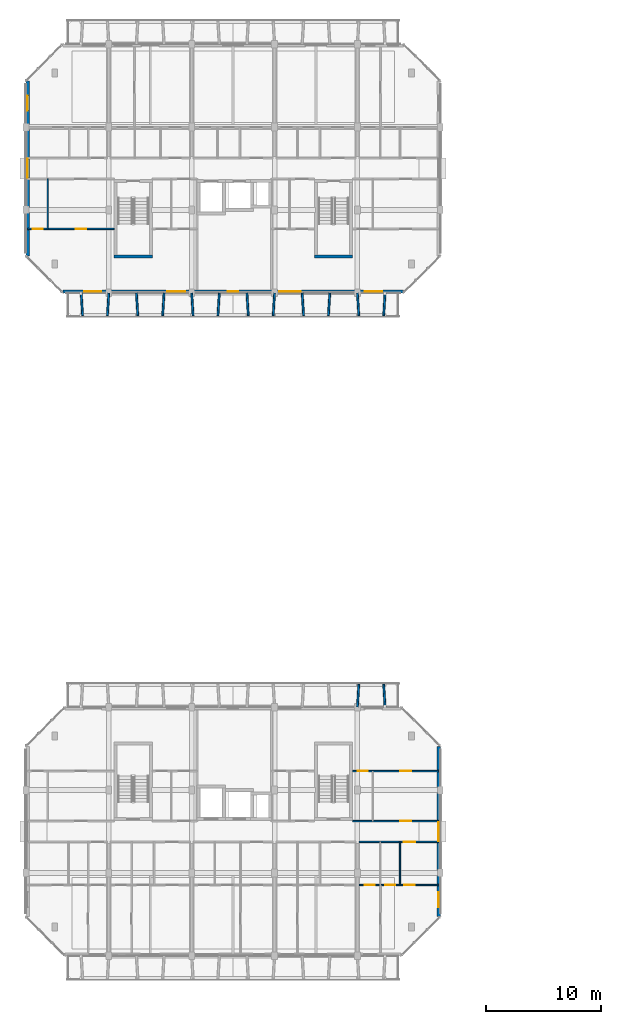
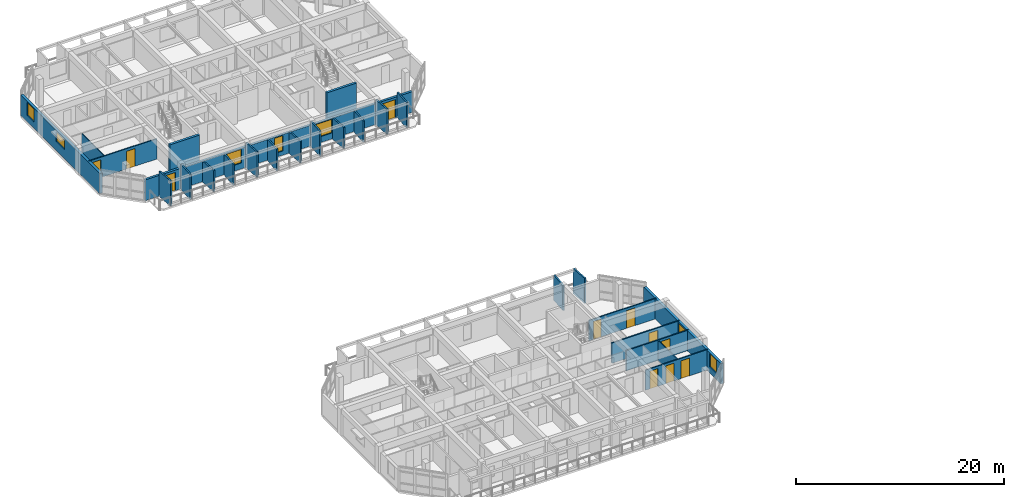
# One storey, part 17 of 43: 26 walls, 11 doors, 7 windows, 18 openings.
"""IFC4 building model written with IfcOpenShell, lengths in metres."""

from ifc_helpers import new_model, si_unit, direction, frame, frame_2d, origin, place, context, subcontext, project, spatial, rectangle, extrude, material, layer, layer_set, type_object, element, fill, save


model = new_model("IFC4")

# Units and contexts
model_context = context("Model", 3, precision=1e-05, world=origin(), true_north=direction((0.0, 1.0)))
body_context = subcontext(model_context, "Body", "Model", "MODEL_VIEW")
ifc_project = project(units=[si_unit("LENGTHUNIT", "METRE"), si_unit("AREAUNIT", "SQUARE_METRE"), si_unit("VOLUMEUNIT", "CUBIC_METRE"), si_unit("PLANEANGLEUNIT", "RADIAN"), si_unit("MASSUNIT", "GRAM", prefix="KILO")], contexts=[model_context])

# Site, building, storey
site_placement = place(None, origin())
site = spatial("IfcSite", under=ifc_project, at=site_placement, CompositionType="ELEMENT")
building_placement = place(site_placement, origin())
building = spatial("IfcBuilding", under=site, at=building_placement, Name="Ochrevale Crest", CompositionType="ELEMENT")
storey_placement = place(building_placement, frame((0.0, 0.0, 15.0)))
storey = spatial("IfcBuildingStorey", under=building, at=storey_placement, Name="L04", CompositionType="ELEMENT", Elevation=15.0)

# Wall, opening, door
ifc_material_1 = material(Name="Gypsum plasterboard", Category="gypsum")
ifc_layer_1 = layer(ifc_material_1, 0.139892578125)
ifc_layer_set_1 = layer_set([ifc_layer_1], Name="Gypsum plasterboard")
wall_type_1 = type_object("IfcWallType", Name="WL-COR-140", PredefinedType="PARTITIONING", material=ifc_layer_set_1)
wall_1_placement = place(storey_placement, frame((28.93994140625, 24.300048828125, 0.0), z_axis=(0.0, 0.0, 1.0), x_axis=(1.0, 0.0, 0.0)))
wall_1 = element("IfcWall", 1, at=wall_1_placement, inside=storey, type_object=wall_type_1, Name="Apartment A-L04-U5 corridor wall", PredefinedType="PARTITIONING", context=body_context, shape_type="SweptSolid", body=[
    extrude(rectangle(XDim=6.920166015625, YDim=0.139892578125, at=frame_2d((3.4599609375, 0.0))), origin(), (0.0, 0.0, 1.0), 2.3798828125),
])
opening_1_placement = place(wall_1_placement, frame((3.89501953125, 0.0, 0.0)))
opening_1 = element("IfcOpeningElement", 2, at=opening_1_placement, cuts=wall_1, Name="Opening FD01", PredefinedType="OPENING", context=body_context, shape_type="SweptSolid", body=[
    extrude(rectangle(XDim=0.97998046875, YDim=2.10009765625, at=frame_2d((0.489990234375, 1.050048828125))), frame((0.0, 0.080078125, 0.0), z_axis=(0.0, -1.0, 0.0), x_axis=(1.0, 0.0, 0.0)), (0.0, 0.0, 1.0), 0.159912109375),
])
ifc_material_2 = material(Name="Solid-core FSC hardwood", Category="wood")
door_type_1 = type_object("IfcDoorType", Name="DR-APT-950", OperationType="NOTDEFINED", PredefinedType="DOOR", material=ifc_material_2)
door_1_placement = place(opening_1_placement, origin())
door_1 = element("IfcDoor", 3, at=door_1_placement, inside=storey, type_object=door_type_1, Name="Apartment A-L04-U5 entrance door", OperationType="SINGLE_SWING_LEFT", OverallHeight=2.10009765625, OverallWidth=0.97998046875, PredefinedType="DOOR", context=body_context, shape_type="SweptSolid", body=[
    extrude(rectangle(XDim=0.97998046875, YDim=2.10009765625, at=frame_2d((0.489990234375, 1.050048828125))), frame((0.0, 0.02490234375, 0.0), z_axis=(0.0, -1.0, 0.0), x_axis=(1.0, 0.0, 0.0)), (0.0, 0.0, 1.0), 0.050048828125),
])
fill(opening_1, door_1)

wall_2_placement = place(storey_placement, frame((28.389892578125, 26.10009765625, 0.0), z_axis=(0.0, 0.0, 1.0), x_axis=(1.0, 0.0, 0.0)))
wall_2 = element("IfcWall", 4, at=wall_2_placement, inside=storey, type_object=wall_type_1, Name="Suite A-L04-CE corridor wall", PredefinedType="PARTITIONING", context=body_context, shape_type="SweptSolid", body=[
    extrude(rectangle(XDim=7.47021484375, YDim=0.139892578125, at=frame_2d((3.735107421875, 0.0))), origin(), (0.0, 0.0, 1.0), 2.3798828125),
])
opening_2_placement = place(wall_2_placement, frame((4.1201171875, 0.0, 0.0)))
opening_2 = element("IfcOpeningElement", 5, at=opening_2_placement, cuts=wall_2, Name="Opening FD01", PredefinedType="OPENING", context=body_context, shape_type="SweptSolid", body=[
    extrude(rectangle(XDim=0.97998046875, YDim=2.10009765625, at=frame_2d((0.489990234375, 1.050048828125))), frame((0.0, 0.080078125, 0.0), z_axis=(0.0, -1.0, 0.0), x_axis=(1.0, 0.0, 0.0)), (0.0, 0.0, 1.0), 0.159912109375),
])
door_2_placement = place(opening_2_placement, origin())
door_2 = element("IfcDoor", 6, at=door_2_placement, inside=storey, type_object=door_type_1, Name="Suite A-L04-CE entrance door", OperationType="SINGLE_SWING_LEFT", OverallHeight=2.10009765625, OverallWidth=0.97998046875, PredefinedType="DOOR", context=body_context, shape_type="SweptSolid", body=[
    extrude(rectangle(XDim=0.97998046875, YDim=2.10009765625, at=frame_2d((0.489990234375, 1.050048828125))), frame((0.0, 0.02490234375, 0.0), z_axis=(0.0, -1.0, 0.0), x_axis=(1.0, 0.0, 0.0)), (0.0, 0.0, 1.0), 0.050048828125),
])
fill(opening_2, door_2)

# Walls
ifc_material_3 = material(Name="Precast concrete C50/60", Category="concrete")
ifc_layer_2 = layer(ifc_material_3, 0.2548828125)
ifc_layer_set_2 = layer_set([ifc_layer_2], Name="Precast concrete C50/60")
wall_type_2 = type_object("IfcWallType", Name="WL-CORE-255", PredefinedType="SHEAR", material=ifc_layer_set_2)
for number, where, z_axis, x_axis, name in (
    (7, (7.672607421875, 75.14990234375, 0.0), (0.0, 0.0, 1.0), (1.0, 0.0, 0.0), "Block B L04 Stair 1 precast core shear wall S"),
    (8, (25.072509765625, 75.14990234375, 0.0), (0.0, 0.0, 1.0), (1.0, 0.0, 0.0), "Block B L04 Stair 2 precast core shear wall S"),
):
    element("IfcWall", number, at=place(storey_placement, frame(where, z_axis=z_axis, x_axis=x_axis)), inside=storey, type_object=wall_type_2, Name=name, PredefinedType="SHEAR", context=body_context, shape_type="SweptSolid", body=[
        extrude(rectangle(XDim=3.304931640625, YDim=0.2548828125, at=frame_2d((1.65234375, 0.0))), origin(), (0.0, 0.0, 1.0), 3.14990234375),
    ])

# Wall, openings, windows
ifc_material_4 = material(Name="Clay face brickwork", Category="masonry")
ifc_layer_3 = layer(ifc_material_4, 0.2900390625)
ifc_layer_set_3 = layer_set([ifc_layer_3], Name="Clay face brickwork")
wall_type_3 = type_object("IfcWallType", Name="WL-EXT-BRICK-290", PredefinedType="SOLIDWALL", material=ifc_layer_set_3)
wall_3_placement = place(storey_placement, frame((35.85498046875, 17.800048828125, 0.0), z_axis=(0.0, 0.0, 1.0), x_axis=(0.0, 1.0, 0.0)))
wall_3 = element("IfcWall", 9, at=wall_3_placement, inside=storey, type_object=wall_type_3, Name="Block A L04 external facade wall E3", PredefinedType="SOLIDWALL", context=body_context, shape_type="SweptSolid", body=[
    extrude(rectangle(XDim=14.800048828125, YDim=0.2900390625, at=frame_2d((7.39990234375, 0.0))), origin(), (0.0, 0.0, 1.0), 2.3798828125),
])
opening_3_placement = place(wall_3_placement, frame((6.574951171875, 0.0, 1.050048828125)))
opening_3 = element("IfcOpeningElement", 10, at=opening_3_placement, cuts=wall_3, Name="Opening W19", PredefinedType="OPENING", context=body_context, shape_type="SweptSolid", body=[
    extrude(rectangle(XDim=1.64990234375, YDim=1.14990234375, at=frame_2d((0.824951171875, 0.574951171875))), frame((0.0, 0.155029296875, 0.0), z_axis=(0.0, -1.0, 0.0), x_axis=(1.0, 0.0, 0.0)), (0.0, 0.0, 1.0), 0.31005859375),
])
opening_4_placement = place(wall_3_placement, frame((0.840087890625, 0.0, 0.719970703125)))
opening_4 = element("IfcOpeningElement", 11, at=opening_4_placement, cuts=wall_3, Name="Opening W30", PredefinedType="OPENING", context=body_context, shape_type="SweptSolid", body=[
    extrude(rectangle(XDim=1.300048828125, YDim=1.550048828125, at=frame_2d((0.64990234375, 0.77490234375))), frame((0.0, 0.155029296875, 0.0), z_axis=(0.0, -1.0, 0.0), x_axis=(1.0, 0.0, 0.0)), (0.0, 0.0, 1.0), 0.31005859375),
])
ifc_material_5 = material(Name="Anodised aluminium 6063-T5 and low-E double glazing", Category="aluminium")
window_type_1 = type_object("IfcWindowType", Name="WIN-W19", PartitioningType="SINGLE_PANEL", PredefinedType="WINDOW", material=ifc_material_5)
window_1_placement = place(opening_3_placement, origin())
window_1 = element("IfcWindow", 12, at=window_1_placement, inside=storey, type_object=window_type_1, Name="Block A L04 corridor end daylight window E", OverallHeight=1.14990234375, OverallWidth=1.64990234375, PartitioningType="SINGLE_PANEL", PredefinedType="WINDOW", context=body_context, shape_type="SweptSolid", body=[
    extrude(rectangle(XDim=1.64990234375, YDim=1.14990234375, at=frame_2d((0.824951171875, 0.574951171875))), frame((0.0, 0.030029296875, 0.0), z_axis=(0.0, -1.0, 0.0), x_axis=(1.0, 0.0, 0.0)), (0.0, 0.0, 1.0), 0.06005859375),
])
fill(opening_3, window_1)
window_type_2 = type_object("IfcWindowType", Name="WIN-W30", PartitioningType="SINGLE_PANEL", PredefinedType="WINDOW", material=ifc_material_5)
window_2_placement = place(opening_4_placement, origin())
window_2 = element("IfcWindow", 13, at=window_2_placement, inside=storey, type_object=window_type_2, Name="Block A L04 side suite window E", OverallHeight=1.550048828125, OverallWidth=1.300048828125, PartitioningType="SINGLE_PANEL", PredefinedType="WINDOW", context=body_context, shape_type="SweptSolid", body=[
    extrude(rectangle(XDim=1.300048828125, YDim=1.550048828125, at=frame_2d((0.64990234375, 0.77490234375))), frame((0.0, 0.030029296875, 0.0), z_axis=(0.0, -1.0, 0.0), x_axis=(1.0, 0.0, 0.0)), (0.0, 0.0, 1.0), 0.06005859375),
])
fill(opening_4, window_2)

wall_4_placement = place(storey_placement, frame((0.14501953125, 90.39990234375, 0.0), z_axis=(0.0, 0.0, 1.0), x_axis=(0.0, -1.0, 0.0)))
wall_4 = element("IfcWall", 14, at=wall_4_placement, inside=storey, type_object=wall_type_3, Name="Block B L04 external facade wall E7", PredefinedType="SOLIDWALL", context=body_context, shape_type="SweptSolid", body=[
    extrude(rectangle(XDim=15.199951171875, YDim=0.2900390625, at=frame_2d((7.60009765625, 0.0))), origin(), (0.0, 0.0, 1.0), 2.3798828125),
])
opening_5_placement = place(wall_4_placement, frame((6.77490234375, 0.0, 1.050048828125)))
opening_5 = element("IfcOpeningElement", 15, at=opening_5_placement, cuts=wall_4, Name="Opening W19", PredefinedType="OPENING", context=body_context, shape_type="SweptSolid", body=[
    extrude(rectangle(XDim=1.64990234375, YDim=1.14990234375, at=frame_2d((0.824951171875, 0.574951171875))), frame((0.0, 0.155029296875, 0.0), z_axis=(0.0, -1.0, 0.0), x_axis=(1.0, 0.0, 0.0)), (0.0, 0.0, 1.0), 0.31005859375),
])
opening_6_placement = place(wall_4_placement, frame((1.2724609375, 0.0, 0.719970703125)))
opening_6 = element("IfcOpeningElement", 16, at=opening_6_placement, cuts=wall_4, Name="Opening W30", PredefinedType="OPENING", context=body_context, shape_type="SweptSolid", body=[
    extrude(rectangle(XDim=1.300048828125, YDim=1.550048828125, at=frame_2d((0.64990234375, 0.77490234375))), frame((0.0, 0.155029296875, 0.0), z_axis=(0.0, -1.0, 0.0), x_axis=(1.0, 0.0, 0.0)), (0.0, 0.0, 1.0), 0.31005859375),
])
window_3_placement = place(opening_5_placement, origin())
window_3 = element("IfcWindow", 17, at=window_3_placement, inside=storey, type_object=window_type_1, Name="Block B L04 corridor end daylight window W", OverallHeight=1.14990234375, OverallWidth=1.64990234375, PartitioningType="SINGLE_PANEL", PredefinedType="WINDOW", context=body_context, shape_type="SweptSolid", body=[
    extrude(rectangle(XDim=1.64990234375, YDim=1.14990234375, at=frame_2d((0.824951171875, 0.574951171875))), frame((0.0, 0.030029296875, 0.0), z_axis=(0.0, -1.0, 0.0), x_axis=(1.0, 0.0, 0.0)), (0.0, 0.0, 1.0), 0.06005859375),
])
fill(opening_5, window_3)
window_4_placement = place(opening_6_placement, origin())
window_4 = element("IfcWindow", 18, at=window_4_placement, inside=storey, type_object=window_type_2, Name="Block B L04 side suite window W", OverallHeight=1.550048828125, OverallWidth=1.300048828125, PartitioningType="SINGLE_PANEL", PredefinedType="WINDOW", context=body_context, shape_type="SweptSolid", body=[
    extrude(rectangle(XDim=1.300048828125, YDim=1.550048828125, at=frame_2d((0.64990234375, 0.77490234375))), frame((0.0, 0.030029296875, 0.0), z_axis=(0.0, -1.0, 0.0), x_axis=(1.0, 0.0, 0.0)), (0.0, 0.0, 1.0), 0.06005859375),
])
fill(opening_6, window_4)

# Wall, openings, doors, windows
ifc_material_6 = material(Name="Precast concrete C40/50", Category="concrete")
ifc_layer_4 = layer(ifc_material_6, 0.25)
ifc_layer_set_4 = layer_set([ifc_layer_4], Name="Precast concrete C40/50")
wall_type_4 = type_object("IfcWallType", Name="WL-EXT-GOLD-250", PredefinedType="SOLIDWALL", material=ifc_layer_set_4)
wall_5_placement = place(storey_placement, frame((3.199951171875, 72.125, 0.0), z_axis=(0.0, 0.0, 1.0), x_axis=(1.0, 0.0, 0.0)))
wall_5 = element("IfcWall", 19, at=wall_5_placement, inside=storey, type_object=wall_type_4, Name="Block B L04 external facade wall E1", PredefinedType="SOLIDWALL", context=body_context, shape_type="SweptSolid", body=[
    extrude(rectangle(XDim=29.60009765625, YDim=0.25, at=frame_2d((14.800048828125, 0.0))), origin(), (0.0, 0.0, 1.0), 2.429931640625),
])
opening_7_placement = place(wall_5_placement, frame((3.35009765625, 0.0, 0.0), z_axis=(0.0, 0.0, 1.0), x_axis=(-1.0, 0.0, 0.0)))
opening_7 = element("IfcOpeningElement", 20, at=opening_7_placement, cuts=wall_5, Name="Opening BD01", PredefinedType="OPENING", context=body_context, shape_type="SweptSolid", body=[
    extrude(rectangle(XDim=1.5, YDim=2.14990234375, at=frame_2d((0.75, 1.074951171875))), frame((0.0, 0.135009765625, 0.0), z_axis=(0.0, -1.0, 0.0), x_axis=(1.0, 0.0, 0.0)), (0.0, 0.0, 1.0), 0.27001953125),
])
opening_8_placement = place(wall_5_placement, frame((27.75, 0.0, 0.0), z_axis=(0.0, 0.0, 1.0), x_axis=(-1.0, 0.0, 0.0)))
opening_8 = element("IfcOpeningElement", 21, at=opening_8_placement, cuts=wall_5, Name="Opening BD01", PredefinedType="OPENING", context=body_context, shape_type="SweptSolid", body=[
    extrude(rectangle(XDim=1.5, YDim=2.14990234375, at=frame_2d((0.75, 1.074951171875))), frame((0.0, 0.135009765625, 0.0), z_axis=(0.0, -1.0, 0.0), x_axis=(1.0, 0.0, 0.0)), (0.0, 0.0, 1.0), 0.27001953125),
])
opening_9_placement = place(wall_5_placement, frame((14.35009765625, 0.0, 0.5)))
opening_9 = element("IfcOpeningElement", 22, at=opening_9_placement, cuts=wall_5, Name="Opening W17", PredefinedType="OPENING", context=body_context, shape_type="SweptSolid", body=[
    extrude(rectangle(XDim=0.89990234375, YDim=1.800048828125, at=frame_2d((0.449951171875, 0.89990234375))), frame((0.0, 0.135009765625, 0.0), z_axis=(0.0, -1.0, 0.0), x_axis=(1.0, 0.0, 0.0)), (0.0, 0.0, 1.0), 0.27001953125),
])
opening_10_placement = place(wall_5_placement, frame((18.81494140625, 0.0, 0.699951171875)))
opening_10 = element("IfcOpeningElement", 23, at=opening_10_placement, cuts=wall_5, Name="Opening W11", PredefinedType="OPENING", context=body_context, shape_type="SweptSolid", body=[
    extrude(rectangle(XDim=1.860107421875, YDim=1.60009765625, at=frame_2d((0.93017578125, 0.800048828125))), frame((0.0, 0.135009765625, 0.0), z_axis=(0.0, -1.0, 0.0), x_axis=(1.0, 0.0, 0.0)), (0.0, 0.0, 1.0), 0.27001953125),
])
opening_11_placement = place(wall_5_placement, frame((9.06494140625, 0.0, 0.699951171875)))
opening_11 = element("IfcOpeningElement", 24, at=opening_11_placement, cuts=wall_5, Name="Opening W09", PredefinedType="OPENING", context=body_context, shape_type="SweptSolid", body=[
    extrude(rectangle(XDim=1.580078125, YDim=1.60009765625, at=frame_2d((0.7900390625, 0.800048828125))), frame((0.0, 0.135009765625, 0.0), z_axis=(0.0, -1.0, 0.0), x_axis=(1.0, 0.0, 0.0)), (0.0, 0.0, 1.0), 0.27001953125),
])
ifc_material_7 = material(Name="Anodised aluminium 6063-T5 and toughened glass", Category="aluminium")
door_type_2 = type_object("IfcDoorType", Name="DR-BAL-1500", OperationType="NOTDEFINED", PredefinedType="DOOR", material=ifc_material_7)
door_3_placement = place(opening_7_placement, origin())
door_3 = element("IfcDoor", 25, at=door_3_placement, inside=storey, type_object=door_type_2, Name="Block B L04 balcony door S1", OperationType="SINGLE_SWING_RIGHT", OverallHeight=2.14990234375, OverallWidth=1.5, PredefinedType="DOOR", context=body_context, shape_type="SweptSolid", body=[
    extrude(rectangle(XDim=1.5, YDim=2.14990234375, at=frame_2d((0.75, 1.074951171875))), frame((0.0, 0.02490234375, 0.0), z_axis=(0.0, -1.0, 0.0), x_axis=(1.0, 0.0, 0.0)), (0.0, 0.0, 1.0), 0.050048828125),
])
fill(opening_7, door_3)
door_4_placement = place(opening_8_placement, origin())
door_4 = element("IfcDoor", 26, at=door_4_placement, inside=storey, type_object=door_type_2, Name="Block B L04 balcony door S5", OperationType="SINGLE_SWING_LEFT", OverallHeight=2.14990234375, OverallWidth=1.5, PredefinedType="DOOR", context=body_context, shape_type="SweptSolid", body=[
    extrude(rectangle(XDim=1.5, YDim=2.14990234375, at=frame_2d((0.75, 1.074951171875))), frame((0.0, 0.02490234375, 0.0), z_axis=(0.0, -1.0, 0.0), x_axis=(1.0, 0.0, 0.0)), (0.0, 0.0, 1.0), 0.050048828125),
])
fill(opening_8, door_4)
window_type_3 = type_object("IfcWindowType", Name="WIN-W09", PartitioningType="SINGLE_PANEL", PredefinedType="WINDOW", material=ifc_material_5)
window_5_placement = place(opening_11_placement, origin())
window_5 = element("IfcWindow", 27, at=window_5_placement, inside=storey, type_object=window_type_3, Name="Block B L04 Suite B-L04-MW Courtyard Studio Living window", OverallHeight=1.60009765625, OverallWidth=1.580078125, PartitioningType="SINGLE_PANEL", PredefinedType="WINDOW", context=body_context, shape_type="SweptSolid", body=[
    extrude(rectangle(XDim=1.580078125, YDim=1.60009765625, at=frame_2d((0.7900390625, 0.800048828125))), frame((0.0, 0.030029296875, 0.0), z_axis=(0.0, -1.0, 0.0), x_axis=(1.0, 0.0, 0.0)), (0.0, 0.0, 1.0), 0.06005859375),
])
fill(opening_11, window_5)
window_type_4 = type_object("IfcWindowType", Name="WIN-W11", PartitioningType="SINGLE_PANEL", PredefinedType="WINDOW", material=ifc_material_5)
window_6_placement = place(opening_10_placement, origin())
window_6 = element("IfcWindow", 28, at=window_6_placement, inside=storey, type_object=window_type_4, Name="Block B L04 Suite B-L04-ME Garden Alcove Studio window", OverallHeight=1.60009765625, OverallWidth=1.860107421875, PartitioningType="SINGLE_PANEL", PredefinedType="WINDOW", context=body_context, shape_type="SweptSolid", body=[
    extrude(rectangle(XDim=1.860107421875, YDim=1.60009765625, at=frame_2d((0.93017578125, 0.800048828125))), frame((0.0, 0.030029296875, 0.0), z_axis=(0.0, -1.0, 0.0), x_axis=(1.0, 0.0, 0.0)), (0.0, 0.0, 1.0), 0.06005859375),
])
fill(opening_10, window_6)
window_type_5 = type_object("IfcWindowType", Name="WIN-W17", PartitioningType="SINGLE_PANEL", PredefinedType="WINDOW", material=ifc_material_5)
window_7_placement = place(opening_9_placement, origin())
window_7 = element("IfcWindow", 29, at=window_7_placement, inside=storey, type_object=window_type_5, Name="Block B L04 core lancet window", OverallHeight=1.800048828125, OverallWidth=0.89990234375, PartitioningType="SINGLE_PANEL", PredefinedType="WINDOW", context=body_context, shape_type="SweptSolid", body=[
    extrude(rectangle(XDim=0.89990234375, YDim=1.800048828125, at=frame_2d((0.449951171875, 0.89990234375))), frame((0.0, 0.030029296875, 0.0), z_axis=(0.0, -1.0, 0.0), x_axis=(1.0, 0.0, 0.0)), (0.0, 0.0, 1.0), 0.06005859375),
])
fill(opening_9, window_7)

# Walls
ifc_layer_5 = layer(ifc_material_6, 0.1650390625)
ifc_layer_set_5 = layer_set([ifc_layer_5], Name="Precast concrete C40/50")
wall_type_5 = type_object("IfcWallType", Name="WL-HC-CHEEK-165", PredefinedType="ELEMENTEDWALL", material=ifc_layer_set_5)
for number, where, z_axis, x_axis, name in (
    (30, (28.800048828125, 36.02001953125, 0.0), (0.0, 0.0, 1.0), (0.061046865508, 0.998134900808, 0.0), "Block A L04 N precast honeycomb cheek 11"),
    (31, (31.199951171875, 36.02001953125, 0.0), (0.0, 0.0, 1.0), (-0.061046865508, 0.998134900808, 0.0), "Block A L04 N precast honeycomb cheek 12"),
    (32, (4.800048828125, 71.97998046875, 0.0), (0.0, 0.0, 1.0), (0.061046865508, -0.998134900808, 0.0), "Block B L04 S precast honeycomb cheek 1"),
    (33, (7.199951171875, 71.97998046875, 0.0), (0.0, 0.0, 1.0), (-0.061046865508, -0.998134900808, 0.0), "Block B L04 S precast honeycomb cheek 2"),
):
    element("IfcWall", number, at=place(storey_placement, frame(where, z_axis=z_axis, x_axis=x_axis)), inside=storey, type_object=wall_type_5, Name=name, PredefinedType="ELEMENTEDWALL", context=body_context, shape_type="SweptSolid", body=[
        extrude(rectangle(XDim=1.963623046875, YDim=0.1650390625, at=frame_2d((0.98193359375, 0.0))), origin(), (0.0, 0.0, 1.0), 2.949951171875),
    ])
for number, where, z_axis, x_axis, name in (
    (34, (9.60009765625, 71.97998046875, 0.0), (0.0, 0.0, 1.0), (0.061046865508, -0.998134900808, 0.0), "Block B L04 S precast honeycomb cheek 3"),
    (35, (12.0, 71.97998046875, 0.0), (0.0, 0.0, 1.0), (-0.061170732449, -0.998127317276, 0.0), "Block B L04 S precast honeycomb cheek 4"),
):
    element("IfcWall", number, at=place(storey_placement, frame(where, z_axis=z_axis, x_axis=x_axis)), inside=storey, type_object=wall_type_5, Name=name, PredefinedType="ELEMENTEDWALL", context=body_context, shape_type="SweptSolid", body=[
        extrude(rectangle(XDim=1.963623046875, YDim=0.1650390625, at=frame_2d((0.98193359375, 0.0))), origin(), (0.0, 0.0, 1.0), 2.449951171875),
    ])
wall_6_placement = place(storey_placement, frame((14.39990234375, 71.97998046875, 0.0), z_axis=(0.0, 0.0, 1.0), x_axis=(0.061170732449, -0.998127317276, 0.0)))
element("IfcWall", 36, at=wall_6_placement, inside=storey, type_object=wall_type_5, Name="Block B L04 S precast honeycomb cheek 5", PredefinedType="ELEMENTEDWALL", context=body_context, shape_type="SweptSolid", body=[
    extrude(rectangle(XDim=1.963623046875, YDim=0.1650390625, at=frame_2d((0.98193359375, 0.0))), origin(), (0.0, 0.0, 1.0), 2.949951171875),
])
for number, where, z_axis, x_axis, name in (
    (37, (16.800048828125, 71.97998046875, 0.0), (0.0, 0.0, 1.0), (-0.061170732449, -0.998127317276, 0.0), "Block B L04 S precast honeycomb cheek 6"),
    (38, (19.199951171875, 71.97998046875, 0.0), (0.0, 0.0, 1.0), (0.061170732449, -0.998127317276, 0.0), "Block B L04 S precast honeycomb cheek 7"),
):
    element("IfcWall", number, at=place(storey_placement, frame(where, z_axis=z_axis, x_axis=x_axis)), inside=storey, type_object=wall_type_5, Name=name, PredefinedType="ELEMENTEDWALL", context=body_context, shape_type="SweptSolid", body=[
        extrude(rectangle(XDim=1.963623046875, YDim=0.1650390625, at=frame_2d((0.98193359375, 0.0))), origin(), (0.0, 0.0, 1.0), 2.530029296875),
    ])
wall_7_placement = place(storey_placement, frame((21.60009765625, 71.97998046875, 0.0), z_axis=(0.0, 0.0, 1.0), x_axis=(-0.061170732449, -0.998127317276, 0.0)))
element("IfcWall", 39, at=wall_7_placement, inside=storey, type_object=wall_type_5, Name="Block B L04 S precast honeycomb cheek 8", PredefinedType="ELEMENTEDWALL", context=body_context, shape_type="SweptSolid", body=[
    extrude(rectangle(XDim=1.963623046875, YDim=0.1650390625, at=frame_2d((0.98193359375, 0.0))), origin(), (0.0, 0.0, 1.0), 2.949951171875),
])
for number, where, z_axis, x_axis, name in (
    (40, (24.0, 71.97998046875, 0.0), (0.0, 0.0, 1.0), (0.061170732449, -0.998127317276, 0.0), "Block B L04 S precast honeycomb cheek 9"),
    (41, (26.39990234375, 71.97998046875, 0.0), (0.0, 0.0, 1.0), (-0.061046865508, -0.998134900808, 0.0), "Block B L04 S precast honeycomb cheek 10"),
):
    element("IfcWall", number, at=place(storey_placement, frame(where, z_axis=z_axis, x_axis=x_axis)), inside=storey, type_object=wall_type_5, Name=name, PredefinedType="ELEMENTEDWALL", context=body_context, shape_type="SweptSolid", body=[
        extrude(rectangle(XDim=1.963623046875, YDim=0.1650390625, at=frame_2d((0.98193359375, 0.0))), origin(), (0.0, 0.0, 1.0), 2.47998046875),
    ])
for number, where, z_axis, x_axis, name in (
    (42, (28.800048828125, 71.97998046875, 0.0), (0.0, 0.0, 1.0), (0.061046865508, -0.998134900808, 0.0), "Block B L04 S precast honeycomb cheek 11"),
    (43, (31.199951171875, 71.97998046875, 0.0), (0.0, 0.0, 1.0), (-0.061046865508, -0.998134900808, 0.0), "Block B L04 S precast honeycomb cheek 12"),
):
    element("IfcWall", number, at=place(storey_placement, frame(where, z_axis=z_axis, x_axis=x_axis)), inside=storey, type_object=wall_type_5, Name=name, PredefinedType="ELEMENTEDWALL", context=body_context, shape_type="SweptSolid", body=[
        extrude(rectangle(XDim=1.963623046875, YDim=0.1650390625, at=frame_2d((0.98193359375, 0.0))), origin(), (0.0, 0.0, 1.0), 2.949951171875),
    ])
ifc_layer_6 = layer(ifc_material_1, 0.1201171875)
ifc_layer_set_6 = layer_set([ifc_layer_6], Name="Gypsum plasterboard")
wall_type_6 = type_object("IfcWallType", Name="WL-PART-120", PredefinedType="PARTITIONING", material=ifc_layer_set_6)
wall_8_placement = place(storey_placement, frame((32.5, 20.550048828125, 0.0), z_axis=(0.0, 0.0, 1.0), x_axis=(0.0, 1.0, 0.0)))
element("IfcWall", 44, at=wall_8_placement, inside=storey, type_object=wall_type_6, Name="Apartment A-L04-U5 kitchen-foyer wall", PredefinedType="PARTITIONING", context=body_context, shape_type="SweptSolid", body=[
    extrude(rectangle(XDim=3.75, YDim=0.1201171875, at=frame_2d((1.875, 0.0))), origin(), (0.0, 0.0, 1.0), 2.375),
])

# Wall, openings, doors
wall_9_placement = place(storey_placement, frame((28.93994140625, 20.550048828125, 0.0), z_axis=(0.0, 0.0, 1.0), x_axis=(1.0, 0.0, 0.0)))
wall_9 = element("IfcWall", 45, at=wall_9_placement, inside=storey, type_object=wall_type_6, Name="Apartment A-L04-U5 central partition", PredefinedType="PARTITIONING", context=body_context, shape_type="SweptSolid", body=[
    extrude(rectangle(XDim=6.920166015625, YDim=0.1201171875, at=frame_2d((3.4599609375, 0.0))), origin(), (0.0, 0.0, 1.0), 2.3798828125),
])
opening_12_placement = place(wall_9_placement, frame((1.35009765625, 0.0, 0.0), z_axis=(0.0, 0.0, 1.0), x_axis=(-1.0, 0.0, 0.0)))
opening_12 = element("IfcOpeningElement", 46, at=opening_12_placement, cuts=wall_9, Name="Opening ID01", PredefinedType="OPENING", context=body_context, shape_type="SweptSolid", body=[
    extrude(rectangle(XDim=0.85009765625, YDim=2.080078125, at=frame_2d((0.425048828125, 1.0400390625))), frame((0.0, 0.070068359375, 0.0), z_axis=(0.0, -1.0, 0.0), x_axis=(1.0, 0.0, 0.0)), (0.0, 0.0, 1.0), 0.14013671875),
])
opening_13_placement = place(wall_9_placement, frame((2.2548828125, 0.0, 0.0)))
opening_13 = element("IfcOpeningElement", 47, at=opening_13_placement, cuts=wall_9, Name="Opening ID02", PredefinedType="OPENING", context=body_context, shape_type="SweptSolid", body=[
    extrude(rectangle(XDim=0.89990234375, YDim=2.080078125, at=frame_2d((0.449951171875, 1.0400390625))), frame((0.0, 0.070068359375, 0.0), z_axis=(0.0, -1.0, 0.0), x_axis=(1.0, 0.0, 0.0)), (0.0, 0.0, 1.0), 0.14013671875),
])
opening_14_placement = place(wall_9_placement, frame((4.85986328125, 0.0, 0.0), z_axis=(0.0, 0.0, 1.0), x_axis=(-1.0, 0.0, 0.0)))
opening_14 = element("IfcOpeningElement", 48, at=opening_14_placement, cuts=wall_9, Name="Opening ID06", PredefinedType="OPENING", context=body_context, shape_type="SweptSolid", body=[
    extrude(rectangle(XDim=0.949951171875, YDim=2.080078125, at=frame_2d((0.47509765625, 1.0400390625))), frame((0.0, 0.070068359375, 0.0), z_axis=(0.0, -1.0, 0.0), x_axis=(1.0, 0.0, 0.0)), (0.0, 0.0, 1.0), 0.14013671875),
])
door_type_3 = type_object("IfcDoorType", Name="DR-INT-900", OperationType="NOTDEFINED", PredefinedType="DOOR", material=ifc_material_2)
door_5_placement = place(opening_13_placement, origin())
door_5 = element("IfcDoor", 49, at=door_5_placement, inside=storey, type_object=door_type_3, Name="Apartment A-L04-U5 Kitchen door", OperationType="SINGLE_SWING_LEFT", OverallHeight=2.080078125, OverallWidth=0.89990234375, PredefinedType="DOOR", context=body_context, shape_type="SweptSolid", body=[
    extrude(rectangle(XDim=0.89990234375, YDim=2.080078125, at=frame_2d((0.449951171875, 1.0400390625))), frame((0.0, 0.02490234375, 0.0), z_axis=(0.0, -1.0, 0.0), x_axis=(1.0, 0.0, 0.0)), (0.0, 0.0, 1.0), 0.050048828125),
])
fill(opening_13, door_5)
door_type_4 = type_object("IfcDoorType", Name="DR-INT-950", OperationType="NOTDEFINED", PredefinedType="DOOR", material=ifc_material_2)
door_6_placement = place(opening_14_placement, origin())
door_6 = element("IfcDoor", 50, at=door_6_placement, inside=storey, type_object=door_type_4, Name="Apartment A-L04-U5 Living Foyer door", OperationType="SINGLE_SWING_RIGHT", OverallHeight=2.080078125, OverallWidth=0.949951171875, PredefinedType="DOOR", context=body_context, shape_type="SweptSolid", body=[
    extrude(rectangle(XDim=0.949951171875, YDim=2.080078125, at=frame_2d((0.47509765625, 1.0400390625))), frame((0.0, 0.02490234375, 0.0), z_axis=(0.0, -1.0, 0.0), x_axis=(1.0, 0.0, 0.0)), (0.0, 0.0, 1.0), 0.050048828125),
])
fill(opening_14, door_6)
door_type_5 = type_object("IfcDoorType", Name="DR-WC-850", OperationType="NOTDEFINED", PredefinedType="DOOR", material=ifc_material_2)
door_7_placement = place(opening_12_placement, origin())
door_7 = element("IfcDoor", 51, at=door_7_placement, inside=storey, type_object=door_type_5, Name="Apartment A-L04-U5 Bathroom door", OperationType="SINGLE_SWING_RIGHT", OverallHeight=2.080078125, OverallWidth=0.85009765625, PredefinedType="DOOR", context=body_context, shape_type="SweptSolid", body=[
    extrude(rectangle(XDim=0.85009765625, YDim=2.080078125, at=frame_2d((0.425048828125, 1.0400390625))), frame((0.0, 0.02490234375, 0.0), z_axis=(0.0, -1.0, 0.0), x_axis=(1.0, 0.0, 0.0)), (0.0, 0.0, 1.0), 0.050048828125),
])
fill(opening_12, door_7)

wall_10_placement = place(storey_placement, frame((28.389892578125, 30.449951171875, 0.0), z_axis=(0.0, 0.0, 1.0), x_axis=(1.0, 0.0, 0.0)))
wall_10 = element("IfcWall", 52, at=wall_10_placement, inside=storey, type_object=wall_type_6, Name="Suite A-L04-CE internal wall", PredefinedType="PARTITIONING", context=body_context, shape_type="SweptSolid", body=[
    extrude(rectangle(XDim=7.47021484375, YDim=0.1201171875, at=frame_2d((3.735107421875, 0.0))), origin(), (0.0, 0.0, 1.0), 2.3798828125),
])
opening_15_placement = place(wall_10_placement, frame((1.300048828125, 0.0, 0.0), z_axis=(0.0, 0.0, 1.0), x_axis=(-1.0, 0.0, 0.0)))
opening_15 = element("IfcOpeningElement", 53, at=opening_15_placement, cuts=wall_10, Name="Opening ID01", PredefinedType="OPENING", context=body_context, shape_type="SweptSolid", body=[
    extrude(rectangle(XDim=0.85009765625, YDim=2.080078125, at=frame_2d((0.425048828125, 1.0400390625))), frame((0.0, 0.070068359375, 0.0), z_axis=(0.0, -1.0, 0.0), x_axis=(1.0, 0.0, 0.0)), (0.0, 0.0, 1.0), 0.14013671875),
])
opening_16_placement = place(wall_10_placement, frame((4.14990234375, 0.0, 0.0)))
opening_16 = element("IfcOpeningElement", 54, at=opening_16_placement, cuts=wall_10, Name="Opening ID04", PredefinedType="OPENING", context=body_context, shape_type="SweptSolid", body=[
    extrude(rectangle(XDim=0.919921875, YDim=2.080078125, at=frame_2d((0.4599609375, 1.0400390625))), frame((0.0, 0.070068359375, 0.0), z_axis=(0.0, -1.0, 0.0), x_axis=(1.0, 0.0, 0.0)), (0.0, 0.0, 1.0), 0.14013671875),
])
door_type_6 = type_object("IfcDoorType", Name="DR-INT-920", OperationType="NOTDEFINED", PredefinedType="DOOR", material=ifc_material_2)
door_8_placement = place(opening_16_placement, origin())
door_8 = element("IfcDoor", 55, at=door_8_placement, inside=storey, type_object=door_type_6, Name="Suite A-L04-CE Master Bedroom door", OperationType="SINGLE_SWING_LEFT", OverallHeight=2.080078125, OverallWidth=0.919921875, PredefinedType="DOOR", context=body_context, shape_type="SweptSolid", body=[
    extrude(rectangle(XDim=0.919921875, YDim=2.080078125, at=frame_2d((0.4599609375, 1.0400390625))), frame((0.0, 0.02490234375, 0.0), z_axis=(0.0, -1.0, 0.0), x_axis=(1.0, 0.0, 0.0)), (0.0, 0.0, 1.0), 0.050048828125),
])
fill(opening_16, door_8)
door_9_placement = place(opening_15_placement, origin())
door_9 = element("IfcDoor", 56, at=door_9_placement, inside=storey, type_object=door_type_5, Name="Suite A-L04-CE Bathroom door", OperationType="SINGLE_SWING_RIGHT", OverallHeight=2.080078125, OverallWidth=0.85009765625, PredefinedType="DOOR", context=body_context, shape_type="SweptSolid", body=[
    extrude(rectangle(XDim=0.85009765625, YDim=2.080078125, at=frame_2d((0.425048828125, 1.0400390625))), frame((0.0, 0.02490234375, 0.0), z_axis=(0.0, -1.0, 0.0), x_axis=(1.0, 0.0, 0.0)), (0.0, 0.0, 1.0), 0.050048828125),
])
fill(opening_15, door_9)

wall_11_placement = place(storey_placement, frame((0.139892578125, 77.550048828125, 0.0), z_axis=(0.0, 0.0, 1.0), x_axis=(1.0, 0.0, 0.0)))
wall_11 = element("IfcWall", 57, at=wall_11_placement, inside=storey, type_object=wall_type_6, Name="Suite B-L04-CW internal wall", PredefinedType="PARTITIONING", context=body_context, shape_type="SweptSolid", body=[
    extrude(rectangle(XDim=7.52001953125, YDim=0.1201171875, at=frame_2d((3.760009765625, 0.0))), origin(), (0.0, 0.0, 1.0), 2.3798828125),
])
opening_17_placement = place(wall_11_placement, frame((1.300048828125, 0.0, 0.0), z_axis=(0.0, 0.0, 1.0), x_axis=(-1.0, 0.0, 0.0)))
opening_17 = element("IfcOpeningElement", 58, at=opening_17_placement, cuts=wall_11, Name="Opening ID01", PredefinedType="OPENING", context=body_context, shape_type="SweptSolid", body=[
    extrude(rectangle(XDim=0.85009765625, YDim=2.080078125, at=frame_2d((0.425048828125, 1.0400390625))), frame((0.0, 0.070068359375, 0.0), z_axis=(0.0, -1.0, 0.0), x_axis=(1.0, 0.0, 0.0)), (0.0, 0.0, 1.0), 0.14013671875),
])
opening_18_placement = place(wall_11_placement, frame((4.175048828125, 0.0, 0.0)))
opening_18 = element("IfcOpeningElement", 59, at=opening_18_placement, cuts=wall_11, Name="Opening ID04", PredefinedType="OPENING", context=body_context, shape_type="SweptSolid", body=[
    extrude(rectangle(XDim=0.919921875, YDim=2.080078125, at=frame_2d((0.4599609375, 1.0400390625))), frame((0.0, 0.070068359375, 0.0), z_axis=(0.0, -1.0, 0.0), x_axis=(1.0, 0.0, 0.0)), (0.0, 0.0, 1.0), 0.14013671875),
])
door_10_placement = place(opening_18_placement, origin())
door_10 = element("IfcDoor", 60, at=door_10_placement, inside=storey, type_object=door_type_6, Name="Suite B-L04-CW Garden Alcove Studio door", OperationType="SINGLE_SWING_LEFT", OverallHeight=2.080078125, OverallWidth=0.919921875, PredefinedType="DOOR", context=body_context, shape_type="SweptSolid", body=[
    extrude(rectangle(XDim=0.919921875, YDim=2.080078125, at=frame_2d((0.4599609375, 1.0400390625))), frame((0.0, 0.02490234375, 0.0), z_axis=(0.0, -1.0, 0.0), x_axis=(1.0, 0.0, 0.0)), (0.0, 0.0, 1.0), 0.050048828125),
])
fill(opening_18, door_10)
door_11_placement = place(opening_17_placement, origin())
door_11 = element("IfcDoor", 61, at=door_11_placement, inside=storey, type_object=door_type_5, Name="Suite B-L04-CW Bathroom door", OperationType="SINGLE_SWING_RIGHT", OverallHeight=2.080078125, OverallWidth=0.85009765625, PredefinedType="DOOR", context=body_context, shape_type="SweptSolid", body=[
    extrude(rectangle(XDim=0.85009765625, YDim=2.080078125, at=frame_2d((0.425048828125, 1.0400390625))), frame((0.0, 0.02490234375, 0.0), z_axis=(0.0, -1.0, 0.0), x_axis=(1.0, 0.0, 0.0)), (0.0, 0.0, 1.0), 0.050048828125),
])
fill(opening_17, door_11)

# Wall
ifc_layer_7 = layer(ifc_material_1, 0.10009765625)
ifc_layer_set_7 = layer_set([ifc_layer_7], Name="Gypsum plasterboard")
wall_type_7 = type_object("IfcWallType", Name="WL-WET-100", PredefinedType="PARTITIONING", material=ifc_layer_set_7)
wall_12_placement = place(storey_placement, frame((1.889892578125, 77.550048828125, 0.0), z_axis=(0.0, 0.0, 1.0), x_axis=(0.0, 1.0, 0.0)))
element("IfcWall", 62, at=wall_12_placement, inside=storey, type_object=wall_type_7, Name="Suite B-L04-CW bathroom divider", PredefinedType="PARTITIONING", context=body_context, shape_type="SweptSolid", body=[
    extrude(rectangle(XDim=4.349853515625, YDim=0.10009765625, at=frame_2d((2.1748046875, 0.0))), origin(), (0.0, 0.0, 1.0), 2.375),
])

save(model, "model.ifc")
